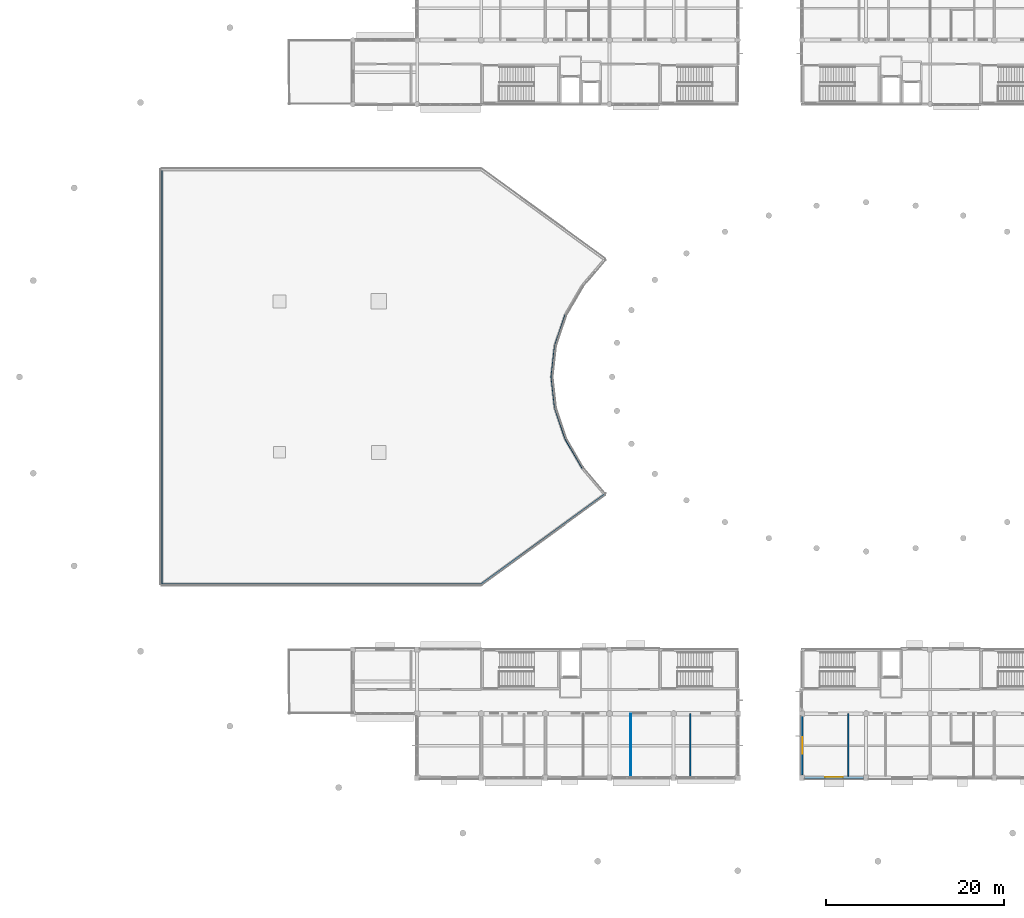
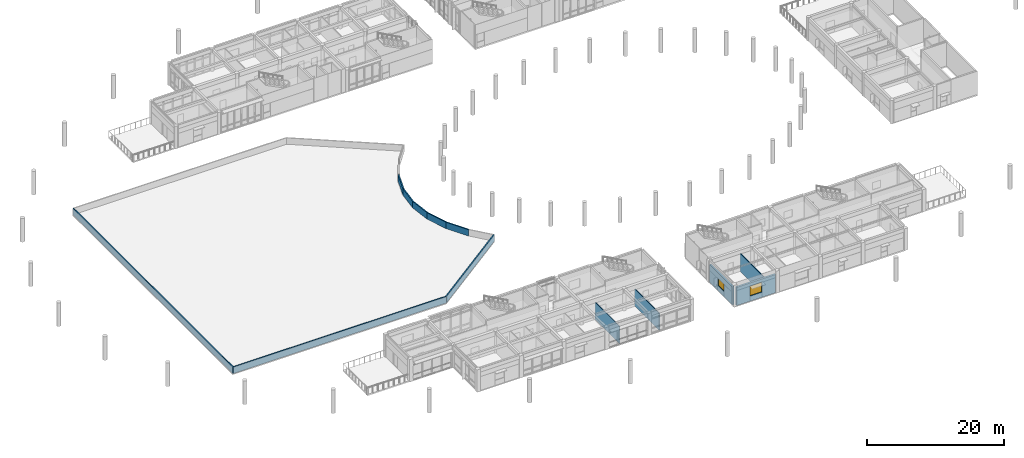
# One storey, part 23 of 55: 13 walls, 2 windows, 2 openings.
"""IFC4 building model written with IfcOpenShell, lengths in metres."""

from ifc_helpers import new_model, si_unit, direction, frame, frame_2d, origin, place, context, subcontext, project, spatial, rectangle, extrude, material, layer, layer_set, type_object, element, fill, save


model = new_model("IFC4")

# Units and contexts
model_context = context("Model", 3, precision=1e-05, world=origin(), true_north=direction((0.0, 1.0)))
body_context = subcontext(model_context, "Body", "Model", "MODEL_VIEW")
ifc_project = project(units=[si_unit("LENGTHUNIT", "METRE"), si_unit("AREAUNIT", "SQUARE_METRE"), si_unit("VOLUMEUNIT", "CUBIC_METRE"), si_unit("PLANEANGLEUNIT", "RADIAN"), si_unit("MASSUNIT", "GRAM", prefix="KILO")], contexts=[model_context])

# Site, building, storey
site_placement = place(None, origin())
site = spatial("IfcSite", under=ifc_project, at=site_placement, CompositionType="ELEMENT")
building_placement = place(site_placement, origin())
building = spatial("IfcBuilding", under=site, at=building_placement, Name="Namkhue Oval Health Centre", CompositionType="ELEMENT")
storey_placement = place(building_placement, frame((0.0, 0.0, 9.60009765625)))
storey = spatial("IfcBuildingStorey", under=building, at=storey_placement, Name="L02", CompositionType="ELEMENT", Elevation=9.60009765625)

# Wall, opening, window
ifc_material_1 = material(Name="Autoclaved aerated concrete blockwork M7.5", Category="masonry")
ifc_layer_1 = layer(ifc_material_1, 0.27001953125)
ifc_layer_set_1 = layer_set([ifc_layer_1], Name="Autoclaved aerated concrete blockwork M7.5")
wall_type_1 = type_object("IfcWallType", Name="EXTERIOR ENVELOPE WALL 270", PredefinedType="STANDARD", material=ifc_layer_set_1)
wall_1_placement = place(storey_placement, frame((93.60009765625, 21.303955078125, 0.0), z_axis=(0.0, 0.0, 1.0), x_axis=(0.0, -1.0, 0.0)))
wall_1 = element("IfcWall", 1, at=wall_1_placement, inside=storey, type_object=wall_type_1, Name="Volume V5 L02 Exterior Envelope Wall 138", PredefinedType="STANDARD", context=body_context, shape_type="SweptSolid", body=[
    extrude(rectangle(XDim=6.60791015625, YDim=0.27001953125, at=frame_2d((3.303955078125, 0.0))), origin(), (0.0, 0.0, 1.0), 3.23486328125),
])
opening_1_placement = place(wall_1_placement, frame((2.37890625, 0.0, 0.89990234375)))
opening_1 = element("IfcOpeningElement", 2, at=opening_1_placement, cuts=wall_1, Name="Opening WN-09", PredefinedType="OPENING", context=body_context, shape_type="SweptSolid", body=[
    extrude(rectangle(XDim=1.85009765625, YDim=1.300048828125, at=frame_2d((0.925048828125, 0.64990234375))), frame((0.0, 0.14501953125, 0.0), z_axis=(0.0, -1.0, 0.0), x_axis=(1.0, 0.0, 0.0)), (0.0, 0.0, 1.0), 0.2900390625),
])
ifc_material_2 = material(Name="Thermally broken low-E laminated double glazing", Category="glass")
window_type_1 = type_object("IfcWindowType", Name="EXTERIOR WINDOW 1850X1300", PartitioningType="SINGLE_PANEL", PredefinedType="WINDOW", material=ifc_material_2)
window_1_placement = place(opening_1_placement, origin())
window_1 = element("IfcWindow", 3, at=window_1_placement, inside=storey, type_object=window_type_1, Name="Volume V5 L02 Exterior Window 99", OverallHeight=1.300048828125, OverallWidth=1.85009765625, PartitioningType="SINGLE_PANEL", PredefinedType="WINDOW", context=body_context, shape_type="SweptSolid", body=[
    extrude(rectangle(XDim=1.85009765625, YDim=1.300048828125, at=frame_2d((0.925048828125, 0.64990234375))), frame((0.0, 0.030029296875, 0.0), z_axis=(0.0, -1.0, 0.0), x_axis=(1.0, 0.0, 0.0)), (0.0, 0.0, 1.0), 0.06005859375),
])
fill(opening_1, window_1)

ifc_layer_2 = layer(ifc_material_1, 0.320068359375)
ifc_layer_set_2 = layer_set([ifc_layer_2], Name="Autoclaved aerated concrete blockwork M7.5")
wall_type_2 = type_object("IfcWallType", Name="EXTERIOR ENVELOPE WALL 320", PredefinedType="STANDARD", material=ifc_layer_set_2)
wall_2_placement = place(storey_placement, frame((93.89599609375, 14.39990234375, 0.0), z_axis=(0.0, 0.0, 1.0), x_axis=(1.0, 0.0, 0.0)))
wall_2 = element("IfcWall", 4, at=wall_2_placement, inside=storey, type_object=wall_type_2, Name="Volume V5 L02 Exterior Envelope Wall 127", PredefinedType="STANDARD", context=body_context, shape_type="SweptSolid", body=[
    extrude(rectangle(XDim=6.60791015625, YDim=0.320068359375, at=frame_2d((3.303955078125, 0.0))), origin(), (0.0, 0.0, 1.0), 3.23486328125),
])
opening_2_placement = place(wall_2_placement, frame((2.303955078125, 0.0, 0.89990234375)))
opening_2 = element("IfcOpeningElement", 5, at=opening_2_placement, cuts=wall_2, Name="Opening WN-44", PredefinedType="OPENING", context=body_context, shape_type="SweptSolid", body=[
    extrude(rectangle(XDim=2.0, YDim=1.780029296875, at=frame_2d((1.0, 0.89013671875))), frame((0.0, 0.169921875, 0.0), z_axis=(0.0, -1.0, 0.0), x_axis=(1.0, 0.0, 0.0)), (0.0, 0.0, 1.0), 0.340087890625),
])
window_type_2 = type_object("IfcWindowType", Name="EXTERIOR WINDOW 2000X1780", PartitioningType="SINGLE_PANEL", PredefinedType="WINDOW", material=ifc_material_2)
window_2_placement = place(opening_2_placement, origin())
window_2 = element("IfcWindow", 6, at=window_2_placement, inside=storey, type_object=window_type_2, Name="Volume V5 L02 Exterior Window 89", OverallHeight=1.780029296875, OverallWidth=2.0, PartitioningType="SINGLE_PANEL", PredefinedType="WINDOW", context=body_context, shape_type="SweptSolid", body=[
    extrude(rectangle(XDim=2.0, YDim=1.780029296875, at=frame_2d((1.0, 0.89013671875))), frame((0.0, 0.030029296875, 0.0), z_axis=(0.0, -1.0, 0.0), x_axis=(1.0, 0.0, 0.0)), (0.0, 0.0, 1.0), 0.06005859375),
])
fill(opening_2, window_2)

# Walls
ifc_material_3 = material(Name="Gypsum plasterboard acoustic partition", Category="gypsum")
ifc_layer_3 = layer(ifc_material_3, 0.110107421875)
ifc_layer_set_3 = layer_set([ifc_layer_3], Name="Gypsum plasterboard acoustic partition")
wall_type_3 = type_object("IfcWallType", Name="INTERIOR PARTITION WALL 110", PredefinedType="PARTITIONING", material=ifc_layer_set_3)
wall_3_placement = place(storey_placement, frame((74.364013671875, 14.43994140625, 0.0), z_axis=(0.0, 0.0, 1.0), x_axis=(0.0, 1.0, 0.0)))
element("IfcWall", 7, at=wall_3_placement, inside=storey, type_object=wall_type_3, Name="Volume V4 L02 Clinical Partition Wall 191", PredefinedType="PARTITIONING", context=body_context, shape_type="SweptSolid", body=[
    extrude(rectangle(XDim=7.16015625, YDim=0.110107421875, at=frame_2d((3.580078125, 0.0))), origin(), (0.0, 0.0, 1.0), 3.0498046875),
])
ifc_layer_4 = layer(ifc_material_3, 0.1201171875)
ifc_layer_set_4 = layer_set([ifc_layer_4], Name="Gypsum plasterboard acoustic partition")
wall_type_4 = type_object("IfcWallType", Name="INTERIOR PARTITION WALL 120", PredefinedType="PARTITIONING", material=ifc_layer_set_4)
wall_4_placement = place(storey_placement, frame((81.06201171875, 14.43994140625, 0.0), z_axis=(0.0, 0.0, 1.0), x_axis=(0.0, 1.0, 0.0)))
element("IfcWall", 8, at=wall_4_placement, inside=storey, type_object=wall_type_4, Name="Volume V4 L02 Clinical Partition Wall 192", PredefinedType="PARTITIONING", context=body_context, shape_type="SweptSolid", body=[
    extrude(rectangle(XDim=7.16015625, YDim=0.1201171875, at=frame_2d((3.580078125, 0.0))), origin(), (0.0, 0.0, 1.0), 3.0498046875),
])
ifc_layer_5 = layer(ifc_material_3, 0.1298828125)
ifc_layer_set_5 = layer_set([ifc_layer_5], Name="Gypsum plasterboard acoustic partition")
wall_type_5 = type_object("IfcWallType", Name="INTERIOR PARTITION WALL 130", PredefinedType="PARTITIONING", material=ifc_layer_set_5)
wall_5_placement = place(storey_placement, frame((98.805908203125, 14.58203125, 0.0), z_axis=(0.0, 0.0, 1.0), x_axis=(0.0, 1.0, 0.0)))
element("IfcWall", 9, at=wall_5_placement, inside=storey, type_object=wall_type_5, Name="Volume V5 L02 Clinical Partition Wall 228", PredefinedType="PARTITIONING", context=body_context, shape_type="SweptSolid", body=[
    extrude(rectangle(XDim=7.01806640625, YDim=0.1298828125, at=frame_2d((3.509033203125, 0.0))), origin(), (0.0, 0.0, 1.0), 3.184814453125),
])
ifc_material_4 = material(Name="Precast architectural concrete C35/45 (TCVN B40)", Category="concrete")
ifc_layer_6 = layer(ifc_material_4, 0.18505859375)
ifc_layer_set_6 = layer_set([ifc_layer_6], Name="Precast architectural concrete C35/45 (TCVN B40)")
wall_type_6 = type_object("IfcWallType", Name="ROOF PARAPET WALL 185", PredefinedType="PARAPET", material=ifc_layer_set_6)
wall_6_placement = place(storey_placement, frame((21.6923828125, 36.092529296875, 0.0), z_axis=(0.0, 0.0, 1.0), x_axis=(0.0, 1.0, 0.0)))
element("IfcWall", 10, at=wall_6_placement, inside=storey, type_object=wall_type_6, Name="Volume V1 L02 Roof Parapet Wall 1", PredefinedType="PARAPET", context=body_context, shape_type="SweptSolid", body=[
    extrude(rectangle(XDim=46.614990234375, YDim=0.18505859375, at=frame_2d((23.3076171875, 0.0))), origin(), (0.0, 0.0, 1.0), 1.14990234375),
])
wall_7_placement = place(storey_placement, frame((67.05322265625, 66.33837890625, 0.0), z_axis=(0.0, 0.0, 1.0), x_axis=(-0.319604572147, -0.947551010481, 0.0)))
element("IfcWall", 11, at=wall_7_placement, inside=storey, type_object=wall_type_6, Name="Volume V1 L02 Roof Parapet Wall 6", PredefinedType="PARAPET", context=body_context, shape_type="SweptSolid", body=[
    extrude(rectangle(XDim=3.6201171875, YDim=0.18505859375, at=frame_2d((1.81005859375, 0.0))), origin(), (0.0, 0.0, 1.0), 1.14990234375),
])
wall_8_placement = place(storey_placement, frame((65.896240234375, 62.908203125, 0.0), z_axis=(0.0, 0.0, 1.0), x_axis=(-0.110317656678, -0.993896380225, 0.0)))
element("IfcWall", 12, at=wall_8_placement, inside=storey, type_object=wall_type_6, Name="Volume V1 L02 Roof Parapet Wall 7", PredefinedType="PARAPET", context=body_context, shape_type="SweptSolid", body=[
    extrude(rectangle(XDim=3.52978515625, YDim=0.18505859375, at=frame_2d((1.764892578125, 0.0))), origin(), (0.0, 0.0, 1.0), 1.14990234375),
])
wall_9_placement = place(storey_placement, frame((65.5068359375, 59.39990234375, 0.0), z_axis=(0.0, 0.0, 1.0), x_axis=(0.11032524071, -0.993895538406, 0.0)))
element("IfcWall", 13, at=wall_9_placement, inside=storey, type_object=wall_type_6, Name="Volume V1 L02 Roof Parapet Wall 8", PredefinedType="PARAPET", context=body_context, shape_type="SweptSolid", body=[
    extrude(rectangle(XDim=3.529541015625, YDim=0.18505859375, at=frame_2d((1.7646484375, 0.0))), origin(), (0.0, 0.0, 1.0), 1.14990234375),
])
wall_10_placement = place(storey_placement, frame((65.896240234375, 55.891845703125, 0.0), z_axis=(0.0, 0.0, 1.0), x_axis=(0.319604572147, -0.947551010481, 0.0)))
element("IfcWall", 14, at=wall_10_placement, inside=storey, type_object=wall_type_6, Name="Volume V1 L02 Roof Parapet Wall 9", PredefinedType="PARAPET", context=body_context, shape_type="SweptSolid", body=[
    extrude(rectangle(XDim=3.6201171875, YDim=0.18505859375, at=frame_2d((1.81005859375, 0.0))), origin(), (0.0, 0.0, 1.0), 1.14990234375),
])
wall_11_placement = place(storey_placement, frame((67.05322265625, 52.461669921875, 0.0), z_axis=(0.0, 0.0, 1.0), x_axis=(0.501752826553, -0.865011040997, 0.0)))
element("IfcWall", 15, at=wall_11_placement, inside=storey, type_object=wall_type_6, Name="Volume V1 L02 Roof Parapet Wall 10", PredefinedType="PARAPET", context=body_context, shape_type="SweptSolid", body=[
    extrude(rectangle(XDim=3.78662109375, YDim=0.18505859375, at=frame_2d((1.893310546875, 0.0))), origin(), (0.0, 0.0, 1.0), 1.14990234375),
])
wall_12_placement = place(storey_placement, frame((71.48291015625, 46.218994140625, 0.0), z_axis=(0.0, 0.0, 1.0), x_axis=(-0.808518844956, -0.588470285869, 0.0)))
element("IfcWall", 16, at=wall_12_placement, inside=storey, type_object=wall_type_6, Name="Volume V1 L02 Roof Parapet Wall 12", PredefinedType="PARAPET", context=body_context, shape_type="SweptSolid", body=[
    extrude(rectangle(XDim=17.2080078125, YDim=0.18505859375, at=frame_2d((8.60400390625, 0.0))), origin(), (0.0, 0.0, 1.0), 1.14990234375),
])
wall_13_placement = place(storey_placement, frame((57.56982421875, 36.092529296875, 0.0), z_axis=(0.0, 0.0, 1.0), x_axis=(-1.0, 0.0, 0.0)))
element("IfcWall", 17, at=wall_13_placement, inside=storey, type_object=wall_type_6, Name="Volume V1 L02 Roof Parapet Wall 13", PredefinedType="PARAPET", context=body_context, shape_type="SweptSolid", body=[
    extrude(rectangle(XDim=35.87744140625, YDim=0.18505859375, at=frame_2d((17.938720703125, 0.0))), origin(), (0.0, 0.0, 1.0), 1.14990234375),
])

save(model, "model.ifc")
